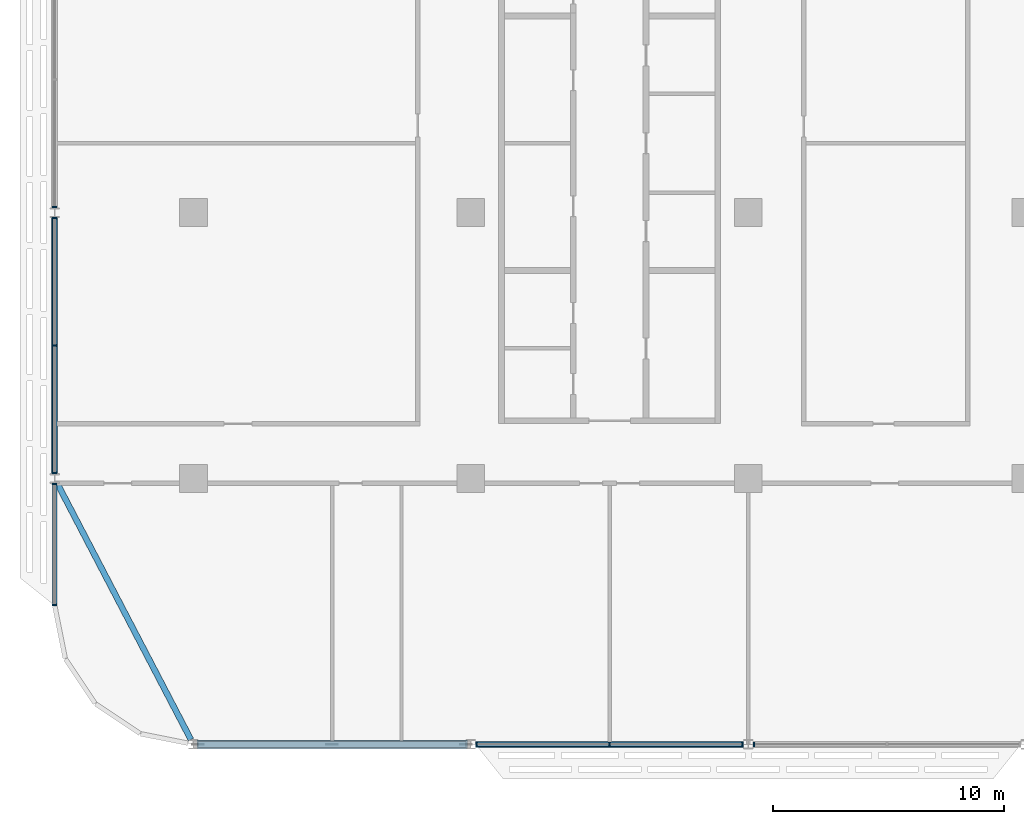
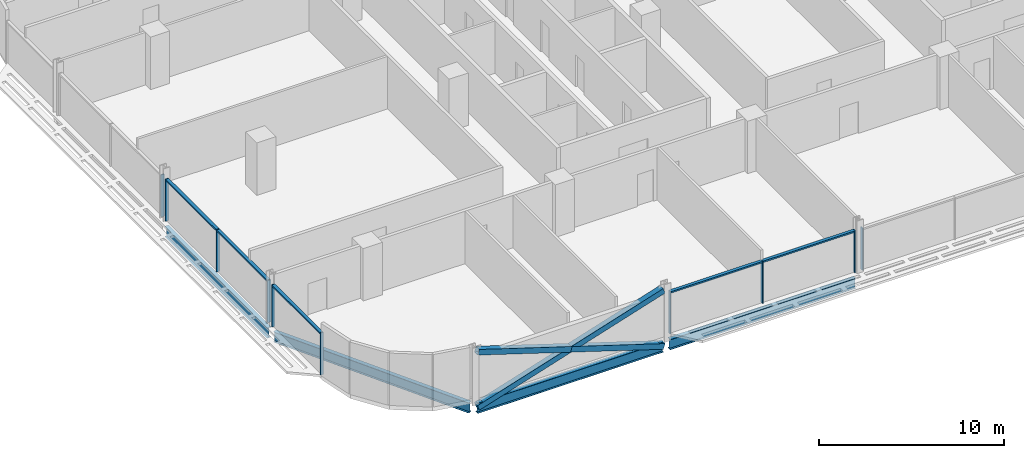
# One storey, part 3 of 27: 18 members, 4 beams, 5 elements without a shape of their own.
"""IFC4 building model written with IfcOpenShell, lengths in metres."""

from ifc_helpers import new_model, si_unit, direction, frame, origin, origin_2d, place, context, subcontext, project, spatial, rectangle, hollow_rectangle, i_section, extrude, material, material_profile, profile_set, type_object, element, aggregate, save


model = new_model("IFC4")

# Units and contexts
model_context = context("Model", 3, precision=1e-05, world=origin(), true_north=direction((0.0, 1.0)))
body_context = subcontext(model_context, "Body", "Model", "MODEL_VIEW")
ifc_project = project(units=[si_unit("LENGTHUNIT", "METRE"), si_unit("AREAUNIT", "SQUARE_METRE"), si_unit("VOLUMEUNIT", "CUBIC_METRE"), si_unit("PLANEANGLEUNIT", "RADIAN"), si_unit("MASSUNIT", "GRAM", prefix="KILO")], contexts=[model_context])

# Site, building, storey
site_placement = place(None, origin())
site = spatial("IfcSite", under=ifc_project, at=site_placement, CompositionType="ELEMENT")
building_placement = place(site_placement, origin())
building = spatial("IfcBuilding", under=site, at=building_placement, Name="Mahtab Terrace Research Tower", CompositionType="ELEMENT")
storey_placement = place(building_placement, frame((0.0, 0.0, 166.800048828125)))
storey = spatial("IfcBuildingStorey", under=building, at=storey_placement, Name="L39", CompositionType="ELEMENT", Elevation=166.800048828125)

# Members
ifc_material_1 = material(Name="Steel ASTM A500 Gr C", Category="steel")
ifc_material_profile_1 = material_profile(ifc_material_1, hollow_rectangle(XDim=0.355712890625, YDim=0.355712890625, WallThickness=0.015869140625, at=origin_2d()), Name="HSS14X14X5/8")
ifc_profile_set_1 = profile_set([ifc_material_profile_1], Name="Steel ASTM A500 Gr C")
member_type_1 = type_object("IfcMemberType", Name="HSS 14x14x5/8 brace XB141458", PredefinedType="BRACE", material=ifc_profile_set_1)
member_1_placement = place(storey_placement, frame((-41.796875, -23.0, -0.61474609375), z_axis=(0.953347232701, 0.0, 0.301875891554), x_axis=(0.0, 1.0, 0.0)))
element("IfcMember", 1, at=member_1_placement, inside=storey, type_object=member_type_1, Name="Exoskeleton brace L39 12 a", PredefinedType="BRACE", context=body_context, shape_type="SweptSolid", body=[
    extrude(hollow_rectangle(XDim=0.355712890625, YDim=0.355712890625, WallThickness=0.015869140625, at=origin_2d()), origin(), (0.0, 0.0, 1.0), 12.1611328125),
])
for number, where, z_axis, x_axis, name in (
    (2, (-30.203125, -23.0, -0.61474609375), (-0.953341454971, 0.0, 0.301894137463), (0.0, -1.0, 0.0), "Exoskeleton brace L39 12 b1"),
    (3, (-36.0, -23.0, 1.220947265625), (-0.953353010152, 0.0, 0.301857645313), (0.0, -1.0, 0.0), "Exoskeleton brace L39 12 b2"),
):
    element("IfcMember", number, at=place(storey_placement, frame(where, z_axis=z_axis, x_axis=x_axis)), inside=storey, type_object=member_type_1, Name=name, PredefinedType="BRACE", context=body_context, shape_type="SweptSolid", body=[
        extrude(hollow_rectangle(XDim=0.355712890625, YDim=0.355712890625, WallThickness=0.015869140625, at=origin_2d()), origin(), (0.0, 0.0, 1.0), 6.08056640625),
    ])

# Curtain wall, member
ifc_material_2 = material(Name="Laboratory ribbon curtain wall")
curtain_wall_type = type_object("IfcCurtainWallType", Name="Laboratory ribbon curtain wall", PredefinedType="NOTDEFINED", material=ifc_material_2)
curtain_wall_1_placement = place(storey_placement, origin())
curtain_wall_1 = element("IfcCurtainWall", 4, at=curtain_wall_1_placement, inside=storey, type_object=curtain_wall_type, Name="EN.L39.8.16", PredefinedType="NOTDEFINED")
ifc_material_3 = material(Name="Natural anodised aluminium", Category="aluminium")
ifc_material_profile_2 = material_profile(ifc_material_3, rectangle(XDim=0.199951171875, YDim=0.06494140625, at=origin_2d()), Name="MULLION 65x200")
ifc_profile_set_2 = profile_set([ifc_material_profile_2], Name="Natural anodised aluminium")
member_type_2 = type_object("IfcMemberType", Name="Laboratory ribbon curtain wall mullion", PredefinedType="MULLION", material=ifc_profile_set_2)
member_2_placement = place(storey_placement, frame((-48.0, 0.240478515625, 0.0), z_axis=(0.0, 0.0, 1.0), x_axis=(1.0, 0.0, 0.0)))
member_2 = element("IfcMember", 5, at=member_2_placement, type_object=member_type_2, Name="CWL-5 mullion 3", PredefinedType="MULLION", context=body_context, shape_type="SweptSolid", body=[
    extrude(rectangle(XDim=0.199951171875, YDim=0.06494140625, at=origin_2d()), origin(), (0.0, 0.0, 1.0), 2.78173828125),
])
aggregate(curtain_wall_1, [member_2])

# Curtain wall, members
curtain_wall_2_placement = place(storey_placement, origin())
curtain_wall_2 = element("IfcCurtainWall", 6, at=curtain_wall_2_placement, inside=storey, type_object=curtain_wall_type, Name="EN.L39.8.17", PredefinedType="NOTDEFINED")
member_3_placement = place(storey_placement, frame((-48.0, -0.240478515625, 0.0), z_axis=(0.0, 0.0, 1.0), x_axis=(1.0, 0.0, 0.0)))
member_3 = element("IfcMember", 7, at=member_3_placement, type_object=member_type_2, Name="CWL-5 mullion 1", PredefinedType="MULLION", context=body_context, shape_type="SweptSolid", body=[
    extrude(rectangle(XDim=0.199951171875, YDim=0.06494140625, at=origin_2d()), origin(), (0.0, 0.0, 1.0), 2.78173828125),
])
member_4_placement = place(storey_placement, frame((-48.0, -5.75, 0.0), z_axis=(0.0, 0.0, 1.0), x_axis=(1.0, 0.0, 0.0)))
member_4 = element("IfcMember", 8, at=member_4_placement, type_object=member_type_2, Name="CWL-5 mullion 2", PredefinedType="MULLION", context=body_context, shape_type="SweptSolid", body=[
    extrude(rectangle(XDim=0.199951171875, YDim=0.06494140625, at=origin_2d()), origin(), (0.0, 0.0, 1.0), 2.78173828125),
])
member_5_placement = place(storey_placement, frame((-48.0, -11.259521484375, 0.0), z_axis=(0.0, 0.0, 1.0), x_axis=(1.0, 0.0, 0.0)))
member_5 = element("IfcMember", 9, at=member_5_placement, type_object=member_type_2, Name="CWL-5 mullion 3", PredefinedType="MULLION", context=body_context, shape_type="SweptSolid", body=[
    extrude(rectangle(XDim=0.199951171875, YDim=0.06494140625, at=origin_2d()), origin(), (0.0, 0.0, 1.0), 2.78173828125),
])

curtain_wall_3_placement = place(storey_placement, origin())
curtain_wall_3 = element("IfcCurtainWall", 10, at=curtain_wall_3_placement, inside=storey, type_object=curtain_wall_type, Name="EN.L39.8.18", PredefinedType="NOTDEFINED")
member_6_placement = place(storey_placement, frame((-48.0, -11.740478515625, 0.0), z_axis=(0.0, 0.0, 1.0), x_axis=(1.0, 0.0, 0.0)))
member_6 = element("IfcMember", 11, at=member_6_placement, type_object=member_type_2, Name="CWL-5 mullion 1", PredefinedType="MULLION", context=body_context, shape_type="SweptSolid", body=[
    extrude(rectangle(XDim=0.199951171875, YDim=0.06494140625, at=origin_2d()), origin(), (0.0, 0.0, 1.0), 2.78173828125),
])
member_7_placement = place(storey_placement, frame((-48.0, -16.967529296875, 0.0), z_axis=(0.0, 0.0, 1.0), x_axis=(1.0, 0.0, 0.0)))
member_7 = element("IfcMember", 12, at=member_7_placement, type_object=member_type_2, Name="CWL-5 mullion 2", PredefinedType="MULLION", context=body_context, shape_type="SweptSolid", body=[
    extrude(rectangle(XDim=0.199951171875, YDim=0.06494140625, at=origin_2d()), origin(), (0.0, 0.0, 1.0), 2.78173828125),
])

curtain_wall_4_placement = place(storey_placement, origin())
curtain_wall_4 = element("IfcCurtainWall", 13, at=curtain_wall_4_placement, inside=storey, type_object=curtain_wall_type, Name="EN.L39.13.24", PredefinedType="NOTDEFINED")
member_8_placement = place(storey_placement, frame((-29.759521484375, -23.0, 0.0), z_axis=(0.0, 0.0, 1.0), x_axis=(0.0, 1.0, 0.0)))
member_8 = element("IfcMember", 14, at=member_8_placement, type_object=member_type_2, Name="CWL-5 mullion 1", PredefinedType="MULLION", context=body_context, shape_type="SweptSolid", body=[
    extrude(rectangle(XDim=0.199951171875, YDim=0.06494140625, at=origin_2d()), origin(), (0.0, 0.0, 1.0), 2.78173828125),
])
member_9_placement = place(storey_placement, frame((-24.0, -23.0, 0.0), z_axis=(0.0, 0.0, 1.0), x_axis=(0.0, 1.0, 0.0)))
member_9 = element("IfcMember", 15, at=member_9_placement, type_object=member_type_2, Name="CWL-5 mullion 2", PredefinedType="MULLION", context=body_context, shape_type="SweptSolid", body=[
    extrude(rectangle(XDim=0.199951171875, YDim=0.06494140625, at=origin_2d()), origin(), (0.0, 0.0, 1.0), 2.78173828125),
])
member_10_placement = place(storey_placement, frame((-18.240478515625, -23.0, 0.0), z_axis=(0.0, 0.0, 1.0), x_axis=(0.0, 1.0, 0.0)))
member_10 = element("IfcMember", 16, at=member_10_placement, type_object=member_type_2, Name="CWL-5 mullion 3", PredefinedType="MULLION", context=body_context, shape_type="SweptSolid", body=[
    extrude(rectangle(XDim=0.199951171875, YDim=0.06494140625, at=origin_2d()), origin(), (0.0, 0.0, 1.0), 2.78173828125),
])

# Curtain wall, member
curtain_wall_5_placement = place(storey_placement, origin())
curtain_wall_5 = element("IfcCurtainWall", 17, at=curtain_wall_5_placement, inside=storey, type_object=curtain_wall_type, Name="EN.L39.13.25", PredefinedType="NOTDEFINED")
member_11_placement = place(storey_placement, frame((-17.759521484375, -23.0, 0.0), z_axis=(0.0, 0.0, 1.0), x_axis=(0.0, 1.0, 0.0)))
member_11 = element("IfcMember", 18, at=member_11_placement, type_object=member_type_2, Name="CWL-5 mullion 1", PredefinedType="MULLION", context=body_context, shape_type="SweptSolid", body=[
    extrude(rectangle(XDim=0.199951171875, YDim=0.06494140625, at=origin_2d()), origin(), (0.0, 0.0, 1.0), 2.78173828125),
])
aggregate(curtain_wall_5, [member_11])

# Member
ifc_material_profile_3 = material_profile(ifc_material_3, rectangle(XDim=0.199951171875, YDim=0.10009765625, at=origin_2d()), Name="TRANSOM 100x200")
ifc_profile_set_3 = profile_set([ifc_material_profile_3], Name="Natural anodised aluminium")
member_type_3 = type_object("IfcMemberType", Name="Laboratory ribbon curtain wall transom", PredefinedType="USERDEFINED", material=ifc_profile_set_3)
member_12_placement = place(storey_placement, frame((-48.0, -0.27294921875, 2.731689453125), z_axis=(0.0, -1.0, 0.0), x_axis=(1.0, 0.0, 0.0)))
member_12 = element("IfcMember", 19, at=member_12_placement, type_object=member_type_3, Name="CWL-5 transom 1", ObjectType="TRANSOM", PredefinedType="USERDEFINED", context=body_context, shape_type="SweptSolid", body=[
    extrude(rectangle(XDim=0.199951171875, YDim=0.10009765625, at=origin_2d()), origin(), (0.0, 0.0, 1.0), 5.444580078125),
])

member_13_placement = place(storey_placement, frame((-48.0, -5.782470703125, 2.731689453125), z_axis=(0.0, -1.0, 0.0), x_axis=(1.0, 0.0, 0.0)))
member_13 = element("IfcMember", 20, at=member_13_placement, type_object=member_type_3, Name="CWL-5 transom 2", ObjectType="TRANSOM", PredefinedType="USERDEFINED", context=body_context, shape_type="SweptSolid", body=[
    extrude(rectangle(XDim=0.199951171875, YDim=0.10009765625, at=origin_2d()), origin(), (0.0, 0.0, 1.0), 5.444580078125),
])

aggregate(curtain_wall_2, [member_3, member_4, member_5, member_12, member_13])

member_14_placement = place(storey_placement, frame((-48.0, -11.77294921875, 2.731689453125), z_axis=(0.0, -1.0, 0.0), x_axis=(1.0, 0.0, 0.0)))
member_14 = element("IfcMember", 21, at=member_14_placement, type_object=member_type_3, Name="CWL-5 transom 1", ObjectType="TRANSOM", PredefinedType="USERDEFINED", context=body_context, shape_type="SweptSolid", body=[
    extrude(rectangle(XDim=0.199951171875, YDim=0.10009765625, at=origin_2d()), origin(), (0.0, 0.0, 1.0), 5.162109375),
])

aggregate(curtain_wall_3, [member_6, member_7, member_14])

member_15_placement = place(storey_placement, frame((-29.72705078125, -23.0, 2.731689453125), z_axis=(1.0, 0.0, 0.0), x_axis=(0.0, 1.0, 0.0)))
member_15 = element("IfcMember", 22, at=member_15_placement, type_object=member_type_3, Name="CWL-5 transom 1", ObjectType="TRANSOM", PredefinedType="USERDEFINED", context=body_context, shape_type="SweptSolid", body=[
    extrude(rectangle(XDim=0.199951171875, YDim=0.10009765625, at=origin_2d()), origin(), (0.0, 0.0, 1.0), 5.694580078125),
])

member_16_placement = place(storey_placement, frame((-23.967529296875, -23.0, 2.731689453125), z_axis=(1.0, 0.0, 0.0), x_axis=(0.0, 1.0, 0.0)))
member_16 = element("IfcMember", 23, at=member_16_placement, type_object=member_type_3, Name="CWL-5 transom 2", ObjectType="TRANSOM", PredefinedType="USERDEFINED", context=body_context, shape_type="SweptSolid", body=[
    extrude(rectangle(XDim=0.199951171875, YDim=0.10009765625, at=origin_2d()), origin(), (0.0, 0.0, 1.0), 5.694580078125),
])

aggregate(curtain_wall_4, [member_8, member_9, member_10, member_15, member_16])

# Beams
ifc_material_4 = material(Name="Steel ASTM A992 Gr 50", Category="steel")
ifc_material_profile_4 = material_profile(ifc_material_4, i_section(OverallWidth=0.25390625, OverallDepth=0.67822265625, WebThickness=0.01171875, FlangeThickness=0.016357421875, at=origin_2d()), Name="W27X84")
ifc_profile_set_4 = profile_set([ifc_material_profile_4], Name="Steel ASTM A992 Gr 50")
beam_type = type_object("IfcBeamType", Name="W27x84 beam BS2784", PredefinedType="BEAM", material=ifc_profile_set_4)
beam_1_placement = place(storey_placement, frame((-48.0, -0.208251953125, -0.67919921875), z_axis=(0.0, -1.0, 0.0), x_axis=(1.0, 0.0, 0.0)))
element("IfcBeam", 24, at=beam_1_placement, inside=storey, type_object=beam_type, Name="Spandrel beam L39 10", PredefinedType="BEAM", context=body_context, shape_type="SweptSolid", body=[
    extrude(i_section(OverallWidth=0.25390625, OverallDepth=0.67822265625, WebThickness=0.01171875, FlangeThickness=0.016357421875, at=origin_2d()), origin(), (0.0, 0.0, 1.0), 11.08349609375),
])
beam_2_placement = place(storey_placement, frame((-47.891357421875, -11.708251953125, -0.67919921875), z_axis=(0.462567341525, -0.886584149731, 0.0), x_axis=(0.886584149731, 0.462567341525, 0.0)))
element("IfcBeam", 25, at=beam_2_placement, inside=storey, type_object=beam_type, Name="Spandrel beam L39 11", PredefinedType="BEAM", context=body_context, shape_type="SweptSolid", body=[
    extrude(i_section(OverallWidth=0.25390625, OverallDepth=0.67822265625, WebThickness=0.01171875, FlangeThickness=0.016357421875, at=origin_2d()), origin(), (0.0, 0.0, 1.0), 12.50146484375),
])
for number, where, z_axis, x_axis, name in (
    (26, (-41.796875, -23.0, -0.67919921875), (1.0, 0.0, 0.0), (0.0, 1.0, 0.0), "Spandrel beam L39 12"),
    (27, (-29.796875, -23.0, -0.67919921875), (1.0, 0.0, 0.0), (0.0, 1.0, 0.0), "Spandrel beam L39 13"),
):
    element("IfcBeam", number, at=place(storey_placement, frame(where, z_axis=z_axis, x_axis=x_axis)), inside=storey, type_object=beam_type, Name=name, PredefinedType="BEAM", context=body_context, shape_type="SweptSolid", body=[
        extrude(i_section(OverallWidth=0.25390625, OverallDepth=0.67822265625, WebThickness=0.01171875, FlangeThickness=0.016357421875, at=origin_2d()), origin(), (0.0, 0.0, 1.0), 11.59375),
    ])

save(model, "model.ifc")
